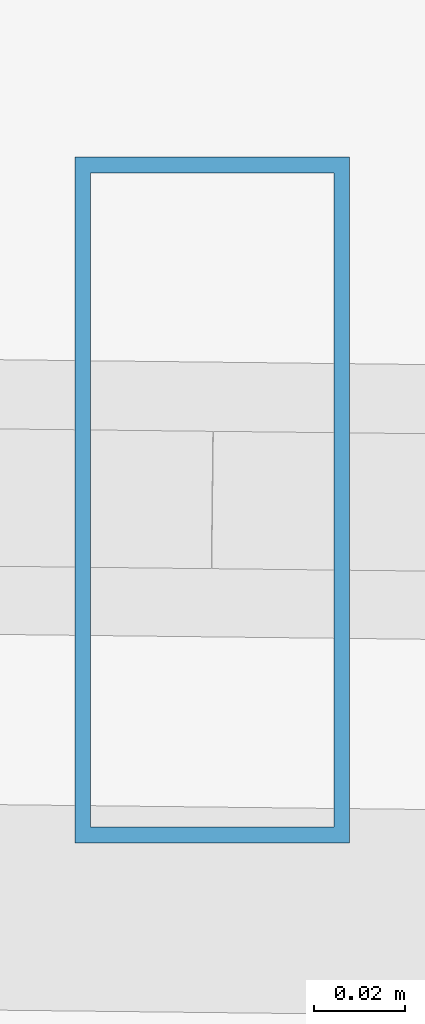
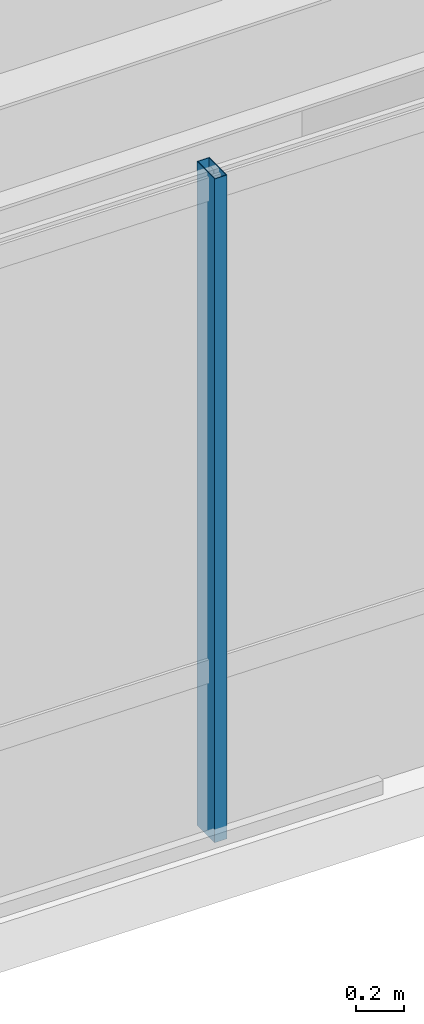
# One storey, part 18 of 42: 1 member, 1 element without a shape of its own.
"""IFC4 building model written with IfcOpenShell, lengths in metres."""

from ifc_helpers import new_model, si_unit, direction, frame, origin, origin_2d, place, context, subcontext, project, spatial, hollow_rectangle, extrude, source, transform, mapped, material, material_profile, profile_set, type_object, type_shapes, element, aggregate, save


model = new_model("IFC4")

# Units and contexts
model_context = context("Model", 3, precision=1e-05, world=origin(), true_north=direction((0.0, 1.0)))
body_context = subcontext(model_context, "Body", "Model", "MODEL_VIEW")
ifc_project = project(units=[si_unit("LENGTHUNIT", "METRE"), si_unit("AREAUNIT", "SQUARE_METRE"), si_unit("VOLUMEUNIT", "CUBIC_METRE"), si_unit("PLANEANGLEUNIT", "RADIAN"), si_unit("MASSUNIT", "GRAM", prefix="KILO")], contexts=[model_context])

# Site, building, storey
site_placement = place(None, origin())
site = spatial("IfcSite", under=ifc_project, at=site_placement, CompositionType="ELEMENT")
building_placement = place(site_placement, origin())
building = spatial("IfcBuilding", under=site, at=building_placement, Name="Caelisora Broadcast Tower", CompositionType="ELEMENT")
storey_placement = place(building_placement, frame((0.0, 0.0, 205.949951171875)))
storey = spatial("IfcBuildingStorey", under=building, at=storey_placement, Name="L54", CompositionType="ELEMENT", Elevation=205.949951171875)

# Curtain wall, member
ifc_material_1 = material(Name="Unitised Aluminium and Low-E Glass Curtain Wall", Category="glass")
curtain_wall_type = type_object("IfcCurtainWallType", Name="CW-Z4", PredefinedType="NOTDEFINED", material=ifc_material_1)
curtain_wall_placement = place(storey_placement, origin())
curtain_wall = element("IfcCurtainWall", 1, at=curtain_wall_placement, inside=storey, type_object=curtain_wall_type, Name="L54 curtain wall CW-Z4", PredefinedType="NOTDEFINED")
ifc_material_2 = material(Name="Aluminium 6063-T6 Anodised Terracotta Bronze", Category="aluminium")
ifc_material_profile = material_profile(ifc_material_2, hollow_rectangle(XDim=0.06005859375, YDim=0.14990234375, WallThickness=0.00341796875, at=origin_2d()), Name="Aluminium 6063-T6 Anodised Terracotta Bronze")
ifc_profile_set = profile_set([ifc_material_profile], Name="Aluminium 6063-T6 Anodised Terracotta Bronze")
member_type = type_object("IfcMemberType", Name="CWM-03", PredefinedType="MULLION", material=ifc_profile_set)
shared_shape = source(origin(), body_context, "Body", "SweptSolid", [
    extrude(hollow_rectangle(XDim=0.06005859375, YDim=0.14990234375, WallThickness=0.00341796875, at=origin_2d()), origin(), (0.0, 0.0, 1.0), 3.400146484375),
])
type_shapes(member_type, [shared_shape])
member_placement = place(storey_placement, frame((50.105712890625, 7.46728515625, 0.0), z_axis=(0.0, 0.0, 1.0), x_axis=(1.0, 0.0, 0.0)))
member = element("IfcMember", 2, at=member_placement, type_object=member_type, Name="L54-CW-B05 mullion #2", PredefinedType="MULLION", context=body_context, shape_type="MappedRepresentation", body=[
    mapped(shared_shape, transform((0.0, 0.0, 0.0), scale=1.0)),
])
aggregate(curtain_wall, [member])

save(model, "model.ifc")
